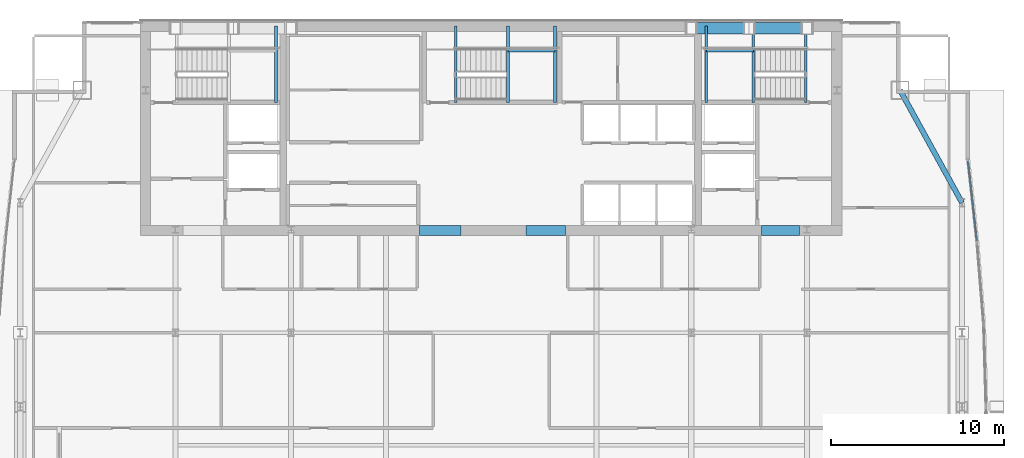
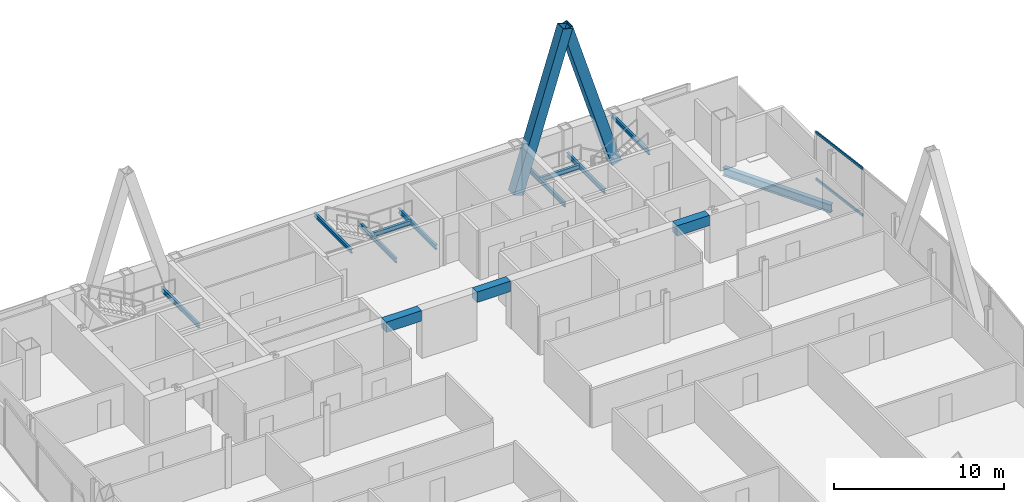
# One storey, part 22 of 30: 13 beams, 4 members, 1 element without a shape of its own.
"""IFC4 building model written with IfcOpenShell, lengths in metres."""

from ifc_helpers import new_model, si_unit, direction, frame, origin, origin_2d, place, context, subcontext, project, spatial, rectangle, hollow_rectangle, i_section, extrude, material, material_profile, profile_set, type_object, element, aggregate, save


model = new_model("IFC4")

# Units and contexts
model_context = context("Model", 3, precision=1e-05, world=origin(), true_north=direction((0.0, 1.0)))
body_context = subcontext(model_context, "Body", "Model", "MODEL_VIEW")
ifc_project = project(units=[si_unit("LENGTHUNIT", "METRE"), si_unit("AREAUNIT", "SQUARE_METRE"), si_unit("VOLUMEUNIT", "CUBIC_METRE"), si_unit("PLANEANGLEUNIT", "RADIAN"), si_unit("MASSUNIT", "GRAM", prefix="KILO")], contexts=[model_context])

# Site, building, storey
site_placement = place(None, origin())
site = spatial("IfcSite", under=ifc_project, at=site_placement, CompositionType="ELEMENT")
building_placement = place(site_placement, origin())
building = spatial("IfcBuilding", under=site, at=building_placement, Name="Khoronbel Lancet Exchange", CompositionType="ELEMENT")
storey_placement = place(building_placement, frame((0.0, 0.0, 239.0)))
storey = spatial("IfcBuildingStorey", under=building, at=storey_placement, Name="L61", CompositionType="ELEMENT", Elevation=239.0)

# Beams
ifc_material_1 = material(Name="Steel S355", Category="steel")
ifc_material_profile_1 = material_profile(ifc_material_1, i_section(OverallWidth=0.159912109375, OverallDepth=0.330078125, WebThickness=0.007568359375, FlangeThickness=0.011474609375, at=origin_2d()), Name="IPE 330")
ifc_profile_set_1 = profile_set([ifc_material_profile_1], Name="Steel S355")
beam_type_1 = type_object("IfcBeamType", Name="BM-BJ7", PredefinedType="JOIST", material=ifc_profile_set_1)
for number, where, z_axis, x_axis, name in (
    (1, (24.030029296875, 48.97998046875, 1.43505859375), (0.0, 1.0, 0.0), (-1.0, 0.0, 0.0), "Level L61 stair ST1 rear landing bearer beam 1"),
    (2, (51.580078125, 48.97998046875, 1.43505859375), (0.0, 1.0, 0.0), (-1.0, 0.0, 0.0), "Level L61 stair ST2 landing bearer beam 1"),
    (3, (48.8701171875, 48.97998046875, 1.43505859375), (0.0, 1.0, 0.0), (-1.0, 0.0, 0.0), "Level L61 stair ST2 rear landing bearer beam 1"),
):
    element("IfcBeam", number, at=place(storey_placement, frame(where, z_axis=z_axis, x_axis=x_axis)), inside=storey, type_object=beam_type_1, Name=name, PredefinedType="JOIST", context=body_context, shape_type="SweptSolid", body=[
        extrude(i_section(OverallWidth=0.159912109375, OverallDepth=0.330078125, WebThickness=0.007568359375, FlangeThickness=0.011474609375, at=origin_2d()), origin(), (0.0, 0.0, 1.0), 4.419921875),
    ])
beam_1_placement = place(storey_placement, frame((48.8701171875, 51.97998046875, 1.43505859375), z_axis=(1.0, 0.0, 0.0), x_axis=(0.0, 1.0, 0.0)))
element("IfcBeam", 4, at=beam_1_placement, inside=storey, type_object=beam_type_1, Name="Level L61 stair ST2 landing cross trimmer beam 1", PredefinedType="JOIST", context=body_context, shape_type="SweptSolid", body=[
    extrude(i_section(OverallWidth=0.159912109375, OverallDepth=0.330078125, WebThickness=0.007568359375, FlangeThickness=0.011474609375, at=origin_2d()), origin(), (0.0, 0.0, 1.0), 2.7099609375),
])
for number, where, z_axis, x_axis, name in (
    (5, (37.419921875, 48.97998046875, 1.43505859375), (0.0, 1.0, 0.0), (-1.0, 0.0, 0.0), "Level L61 stair ST3 landing bearer beam 1"),
    (6, (40.1298828125, 48.97998046875, 1.43505859375), (0.0, 1.0, 0.0), (-1.0, 0.0, 0.0), "Level L61 stair ST3 rear landing bearer beam 1"),
):
    element("IfcBeam", number, at=place(storey_placement, frame(where, z_axis=z_axis, x_axis=x_axis)), inside=storey, type_object=beam_type_1, Name=name, PredefinedType="JOIST", context=body_context, shape_type="SweptSolid", body=[
        extrude(i_section(OverallWidth=0.159912109375, OverallDepth=0.330078125, WebThickness=0.007568359375, FlangeThickness=0.011474609375, at=origin_2d()), origin(), (0.0, 0.0, 1.0), 4.419921875),
    ])
beam_2_placement = place(storey_placement, frame((37.419921875, 51.97998046875, 1.43505859375), z_axis=(1.0, 0.0, 0.0), x_axis=(0.0, 1.0, 0.0)))
element("IfcBeam", 7, at=beam_2_placement, inside=storey, type_object=beam_type_1, Name="Level L61 stair ST3 landing cross trimmer beam 1", PredefinedType="JOIST", context=body_context, shape_type="SweptSolid", body=[
    extrude(i_section(OverallWidth=0.159912109375, OverallDepth=0.330078125, WebThickness=0.007568359375, FlangeThickness=0.011474609375, at=origin_2d()), origin(), (0.0, 0.0, 1.0), 2.7099609375),
])
ifc_material_profile_2 = material_profile(ifc_material_1, i_section(OverallWidth=0.14990234375, OverallDepth=0.300048828125, WebThickness=0.007080078125, FlangeThickness=0.0107421875, at=origin_2d()), Name="IPE 300")
ifc_profile_set_2 = profile_set([ifc_material_profile_2], Name="Steel S355")
beam_type_2 = type_object("IfcBeamType", Name="BM-BJ8", PredefinedType="JOIST", material=ifc_profile_set_2)
for number, where, z_axis, x_axis, name in (
    (8, (54.60009765625, 48.97998046875, 3.159912109375), (0.0, 1.0, 0.0), (-1.0, 0.0, 0.0), "Level L61 stair ST2 upper-flight arrival trimmer beam"),
    (9, (34.39990234375, 48.97998046875, 3.159912109375), (0.0, 1.0, 0.0), (-1.0, 0.0, 0.0), "Level L61 stair ST3 upper-flight arrival trimmer beam"),
):
    element("IfcBeam", number, at=place(storey_placement, frame(where, z_axis=z_axis, x_axis=x_axis)), inside=storey, type_object=beam_type_2, Name=name, PredefinedType="JOIST", context=body_context, shape_type="SweptSolid", body=[
        extrude(i_section(OverallWidth=0.14990234375, OverallDepth=0.300048828125, WebThickness=0.007080078125, FlangeThickness=0.0107421875, at=origin_2d()), origin(), (0.0, 0.0, 1.0), 4.419921875),
    ])
ifc_material_2 = material(Name="Concrete C60/75", Category="concrete")
ifc_material_profile_3 = material_profile(ifc_material_2, rectangle(XDim=0.550048828125, YDim=0.75, at=origin_2d()), Name="RC 550x750")
ifc_profile_set_3 = profile_set([ifc_material_profile_3], Name="Concrete C60/75")
beam_type_3 = type_object("IfcBeamType", Name="BM-BL2", PredefinedType="LINTEL", material=ifc_profile_set_3)
beam_3_placement = place(storey_placement, frame((32.300048828125, 41.60009765625, 3.06494140625), z_axis=(1.0, 0.0, 0.0), x_axis=(0.0, 1.0, 0.0)))
element("IfcBeam", 10, at=beam_3_placement, inside=storey, type_object=beam_type_3, Name="Level L61 rear core coupling lintel L2", PredefinedType="LINTEL", context=body_context, shape_type="SweptSolid", body=[
    extrude(rectangle(XDim=0.550048828125, YDim=0.75, at=origin_2d()), origin(), (0.0, 0.0, 1.0), 2.39990234375),
])
beam_4_placement = place(storey_placement, frame((38.449951171875, 41.60009765625, 3.06494140625), z_axis=(1.0, 0.0, 0.0), x_axis=(0.0, 1.0, 0.0)))
element("IfcBeam", 11, at=beam_4_placement, inside=storey, type_object=beam_type_3, Name="Level L61 rear core coupling lintel L3", PredefinedType="LINTEL", context=body_context, shape_type="SweptSolid", body=[
    extrude(rectangle(XDim=0.550048828125, YDim=0.75, at=origin_2d()), origin(), (0.0, 0.0, 1.0), 2.300048828125),
])
beam_5_placement = place(storey_placement, frame((52.050048828125, 41.60009765625, 3.06494140625), z_axis=(1.0, 0.0, 0.0), x_axis=(0.0, 1.0, 0.0)))
element("IfcBeam", 12, at=beam_5_placement, inside=storey, type_object=beam_type_3, Name="Level L61 rear core coupling lintel L4", PredefinedType="LINTEL", context=body_context, shape_type="SweptSolid", body=[
    extrude(rectangle(XDim=0.550048828125, YDim=0.75, at=origin_2d()), origin(), (0.0, 0.0, 1.0), 2.199951171875),
])
ifc_material_profile_4 = material_profile(ifc_material_1, i_section(OverallWidth=0.300048828125, OverallDepth=0.60009765625, WebThickness=0.015380859375, FlangeThickness=0.030029296875, at=origin_2d()), Name="HEB 600")
ifc_profile_set_4 = profile_set([ifc_material_profile_4], Name="Steel S355")
beam_type_4 = type_object("IfcBeamType", Name="BM-BSP2", PredefinedType="SPANDREL", material=ifc_profile_set_4)
beam_6_placement = place(storey_placement, frame((63.6298828125, 43.199951171875, -0.4599609375), z_axis=(-0.482418808117, 0.875940690672, 0.0), x_axis=(-0.875940690672, -0.482418808117, 0.0)))
element("IfcBeam", 13, at=beam_6_placement, inside=storey, type_object=beam_type_4, Name="Level L61 perimeter spandrel beam SP13", PredefinedType="SPANDREL", context=body_context, shape_type="SweptSolid", body=[
    extrude(i_section(OverallWidth=0.300048828125, OverallDepth=0.60009765625, WebThickness=0.015380859375, FlangeThickness=0.030029296875, at=origin_2d()), origin(), (0.0, 0.0, 1.0), 7.420654296875),
])

# Curtain wall, members
ifc_material_3 = material(Name="Low-E Solar Control Insulating Glass", Category="glass")
curtain_wall_type = type_object("IfcCurtainWallType", Name="CW-4", PredefinedType="NOTDEFINED", material=ifc_material_3)
curtain_wall_placement = place(storey_placement, origin())
curtain_wall = element("IfcCurtainWall", 14, at=curtain_wall_placement, inside=storey, type_object=curtain_wall_type, Name="Unitised curtain wall CW-L61-E17", PredefinedType="NOTDEFINED")
ifc_material_4 = material(Name="Bronze-Anodised Aluminium 6063-T6", Category="aluminium")
ifc_material_profile_5 = material_profile(ifc_material_4, hollow_rectangle(XDim=0.0849609375, YDim=0.179931640625, WallThickness=0.0048828125, at=origin_2d()), Name="ALU TRANSOM 85x180")
ifc_profile_set_5 = profile_set([ifc_material_profile_5], Name="Bronze-Anodised Aluminium 6063-T6")
member_type_1 = type_object("IfcMemberType", Name="MEM-CWT1", PredefinedType="USERDEFINED", material=ifc_profile_set_5)
member_1_placement = place(storey_placement, frame((63.96826171875, 45.620361328125, 0.04248046875), z_axis=(0.109829937442, -0.993950393552, 0.0), x_axis=(0.993950393552, 0.109829937442, 0.0)))
member_1 = element("IfcMember", 15, at=member_1_placement, type_object=member_type_1, Name="CW4 transom 1.1", ObjectType="TRANSOM", PredefinedType="USERDEFINED", context=body_context, shape_type="SweptSolid", body=[
    extrude(hollow_rectangle(XDim=0.0849609375, YDim=0.179931640625, WallThickness=0.0048828125, at=origin_2d()), origin(), (0.0, 0.0, 1.0), 4.632568359375),
])
member_2_placement = place(storey_placement, frame((63.96826171875, 45.620361328125, 3.3974609375), z_axis=(0.109829937442, -0.993950393552, 0.0), x_axis=(0.993950393552, 0.109829937442, 0.0)))
member_2 = element("IfcMember", 16, at=member_2_placement, type_object=member_type_1, Name="CW4 transom 1.2", ObjectType="TRANSOM", PredefinedType="USERDEFINED", context=body_context, shape_type="SweptSolid", body=[
    extrude(hollow_rectangle(XDim=0.0849609375, YDim=0.179931640625, WallThickness=0.0048828125, at=origin_2d()), origin(), (0.0, 0.0, 1.0), 4.632568359375),
])
aggregate(curtain_wall, [member_1, member_2])

# Members
ifc_material_5 = material(Name="Steel S460", Category="steel")
ifc_material_profile_6 = material_profile(ifc_material_5, hollow_rectangle(XDim=0.679931640625, YDim=0.679931640625, WallThickness=0.044921875, at=origin_2d()), Name="BOX 680x680x45")
ifc_profile_set_6 = profile_set([ifc_material_profile_6], Name="Steel S460")
member_type_2 = type_object("IfcMemberType", Name="MEM-MB3", PredefinedType="BRACE", material=ifc_profile_set_6)
for number, where, z_axis, x_axis, name in (
    (17, (48.0, 53.280029296875, 0.0), (0.295242108906, 0.0, 0.955422470496), (0.0, 1.0, 0.0), "Perimeter lancet brace tier 21 N-E-L"),
    (18, (54.675048828125, 53.280029296875, 0.0), (-0.295261823895, 0.0, 0.955416378), (0.0, -1.0, 0.0), "Perimeter lancet brace tier 21 N-E-R"),
):
    element("IfcMember", number, at=place(storey_placement, frame(where, z_axis=z_axis, x_axis=x_axis)), inside=storey, type_object=member_type_2, Name=name, PredefinedType="BRACE", context=body_context, shape_type="SweptSolid", body=[
        extrude(hollow_rectangle(XDim=0.679931640625, YDim=0.679931640625, WallThickness=0.044921875, at=origin_2d()), origin(), (0.0, 0.0, 1.0), 11.303955078125),
    ])

save(model, "model.ifc")
